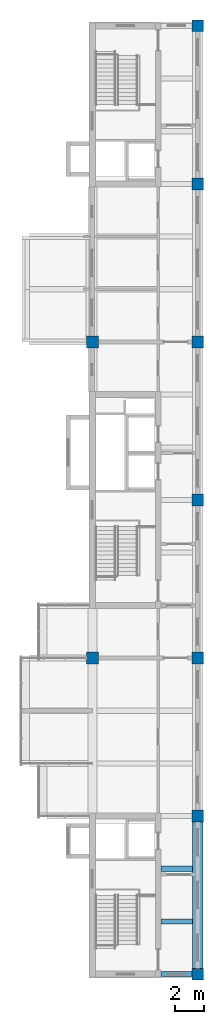
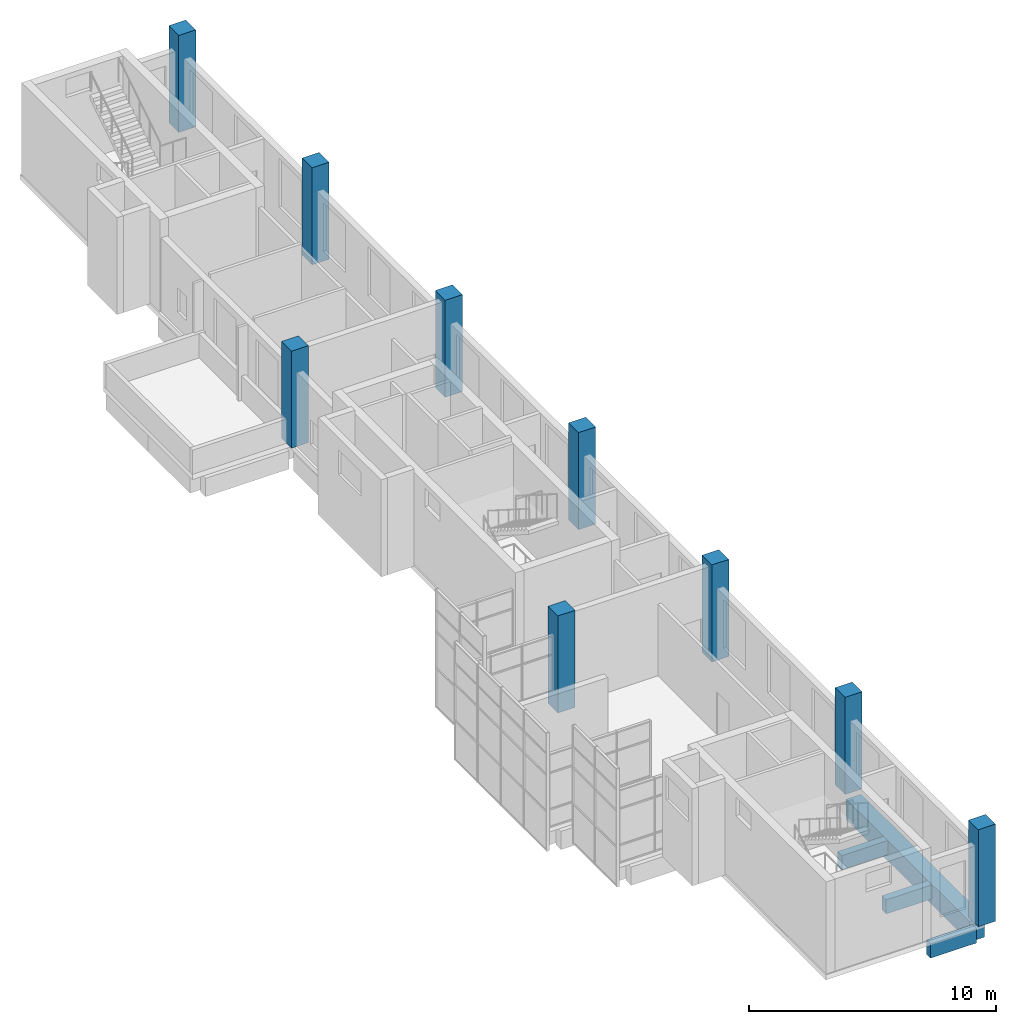
# One storey, part 1 of 9: 9 columns, 4 beams.
"""IFC4 building model written with IfcOpenShell, lengths in metres."""

from ifc_helpers import new_model, si_unit, direction, frame, origin, origin_2d, place, context, subcontext, project, spatial, rectangle, extrude, material, material_profile, profile_set, type_object, element, save


model = new_model("IFC4")

# Units and contexts
model_context = context("Model", 3, precision=1e-05, world=origin(), true_north=direction((0.0, 1.0)))
body_context = subcontext(model_context, "Body", "Model", "MODEL_VIEW")
ifc_project = project(units=[si_unit("LENGTHUNIT", "METRE"), si_unit("AREAUNIT", "SQUARE_METRE"), si_unit("VOLUMEUNIT", "CUBIC_METRE"), si_unit("PLANEANGLEUNIT", "RADIAN"), si_unit("MASSUNIT", "GRAM", prefix="KILO")], contexts=[model_context])

# Site, building, storey
site_placement = place(None, origin())
site = spatial("IfcSite", under=ifc_project, at=site_placement, CompositionType="ELEMENT")
building_placement = place(site_placement, origin())
building = spatial("IfcBuilding", under=site, at=building_placement, Name="Basin Gate Institute", CompositionType="ELEMENT")
storey_placement = place(building_placement, frame((0.0, 0.0, 70.199951171875)))
storey = spatial("IfcBuildingStorey", under=building, at=storey_placement, Name="L14", CompositionType="ELEMENT", Elevation=70.199951171875)

# Columns
ifc_material_1 = material(Name="Concrete 50 MPa", Category="concrete")
ifc_material_profile_1 = material_profile(ifc_material_1, rectangle(XDim=0.800048828125, YDim=0.800048828125, at=origin_2d()), Name="Column C4 800 x 800")
ifc_profile_set_1 = profile_set([ifc_material_profile_1], Name="Concrete 50 MPa")
column_type = type_object("IfcColumnType", Name="Column C4 R60", PredefinedType="COLUMN", material=ifc_profile_set_1)
for number, where, z_axis, x_axis, name in (
    (1, (61.199951171875, 56.699951171875, 0.0), (0.0, 0.0, 1.0), (1.0, 0.0, 0.0), "COL/L14/4C"),
    (2, (61.199951171875, 78.300048828125, 0.0), (0.0, 0.0, 1.0), (1.0, 0.0, 0.0), "COL/L14/4E"),
    (3, (68.39990234375, 35.10009765625, 0.0), (0.0, 0.0, 1.0), (1.0, 0.0, 0.0), "COL/L14/5A"),
    (4, (68.39990234375, 45.89990234375, 0.0), (0.0, 0.0, 1.0), (1.0, 0.0, 0.0), "COL/L14/5B"),
    (5, (68.39990234375, 56.699951171875, 0.0), (0.0, 0.0, 1.0), (1.0, 0.0, 0.0), "COL/L14/5C"),
    (6, (68.39990234375, 67.5, 0.0), (0.0, 0.0, 1.0), (1.0, 0.0, 0.0), "COL/L14/5D"),
    (7, (68.39990234375, 78.300048828125, 0.0), (0.0, 0.0, 1.0), (1.0, 0.0, 0.0), "COL/L14/5E"),
    (8, (68.39990234375, 89.10009765625, 0.0), (0.0, 0.0, 1.0), (1.0, 0.0, 0.0), "COL/L14/5F"),
    (9, (68.39990234375, 99.89990234375, 0.0), (0.0, 0.0, 1.0), (1.0, 0.0, 0.0), "COL/L14/5G"),
):
    element("IfcColumn", number, at=place(storey_placement, frame(where, z_axis=z_axis, x_axis=x_axis)), inside=storey, type_object=column_type, material=ifc_profile_set_1, Name=name, PredefinedType="COLUMN", context=body_context, shape_type="SweptSolid", body=[
        extrude(rectangle(XDim=0.800048828125, YDim=0.800048828125, at=origin_2d()), origin(), (0.0, 0.0, 1.0), 4.800048828125),
    ])

# Beams
ifc_material_2 = material(Name="Concrete 40 MPa", Category="concrete")
ifc_material_profile_2 = material_profile(ifc_material_2, rectangle(XDim=0.35009765625, YDim=0.699951171875, at=origin_2d()), Name="Beam B1 350 x 700")
ifc_profile_set_2 = profile_set([ifc_material_profile_2], Name="Concrete 40 MPa")
beam_type_1 = type_object("IfcBeamType", Name="Beam B1 R60", PredefinedType="BEAM", material=ifc_profile_set_2)
for number, where, z_axis, x_axis, name in (
    (10, (65.89990234375, 35.10009765625, -0.599853515625), (1.0, 0.0, 0.0), (0.0, 1.0, 0.0), "BEAM/L14/W/CORR/01"),
    (11, (65.89990234375, 38.699951171875, -0.599853515625), (1.0, 0.0, 0.0), (0.0, 1.0, 0.0), "BEAM/L14/W/CORR/02"),
    (12, (65.89990234375, 42.300048828125, -0.599853515625), (1.0, 0.0, 0.0), (0.0, 1.0, 0.0), "BEAM/L14/W/CORR/03"),
):
    element("IfcBeam", number, at=place(storey_placement, frame(where, z_axis=z_axis, x_axis=x_axis)), inside=storey, type_object=beam_type_1, material=ifc_profile_set_2, Name=name, PredefinedType="BEAM", context=body_context, shape_type="SweptSolid", body=[
        extrude(rectangle(XDim=0.35009765625, YDim=0.699951171875, at=origin_2d()), origin(), (0.0, 0.0, 1.0), 2.150146484375),
    ])
ifc_material_3 = material(Name="Concrete 50 MPa", Category="concrete")
ifc_material_profile_3 = material_profile(ifc_material_3, rectangle(XDim=0.699951171875, YDim=1.0, at=origin_2d()), Name="Girder G1 700 x 1000")
ifc_profile_set_3 = profile_set([ifc_material_profile_3], Name="Concrete 50 MPa")
beam_type_2 = type_object("IfcBeamType", Name="Girder G1 R60", PredefinedType="BEAM", material=ifc_profile_set_3)
beam_placement = place(storey_placement, frame((68.39990234375, 35.5, -0.75), z_axis=(0.0, 1.0, 0.0), x_axis=(-1.0, 0.0, 0.0)))
element("IfcBeam", 13, at=beam_placement, inside=storey, type_object=beam_type_2, material=ifc_profile_set_3, Name="GIR/L14/W5/1", PredefinedType="BEAM", context=body_context, shape_type="SweptSolid", body=[
    extrude(rectangle(XDim=0.699951171875, YDim=1.0, at=origin_2d()), origin(), (0.0, 0.0, 1.0), 10.0),
])

save(model, "model.ifc")
